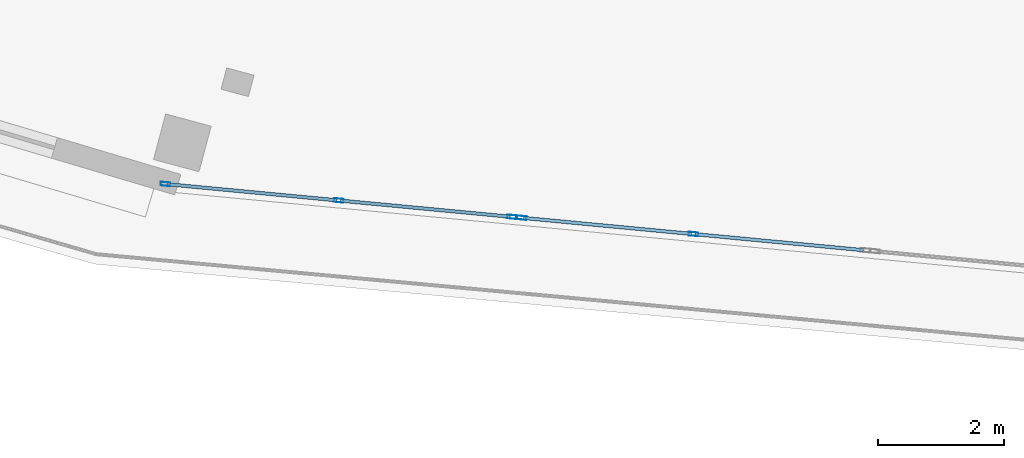
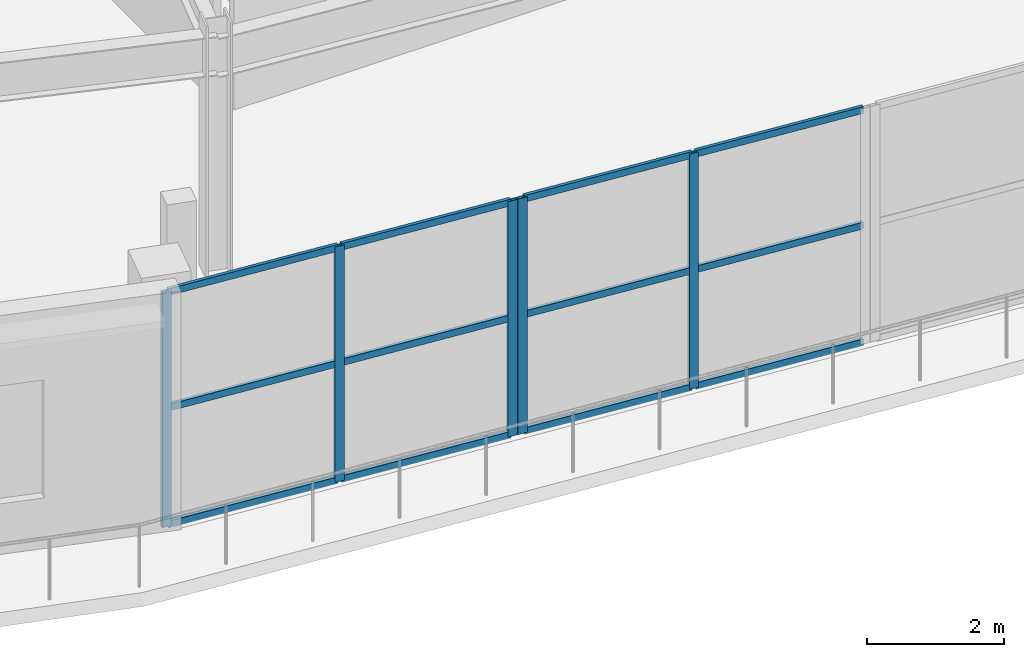
# One storey, part 20 of 107: 17 members, 2 elements without a shape of their own.
"""IFC4 building model written with IfcOpenShell, lengths in metres."""

import ifcopenshell
import ifcopenshell.guid

model = None  # the IFC model being written
_history = None  # IfcOwnerHistory: only IFC2X3 demands one
_inside = {}  # id of a spatial element -> (the spatial element, [elements in it])
_under = {}  # id of a project, library or spatial element -> (it, [spatial elements below it])
_declared = {}  # id of a project -> (the project, [libraries it declares])
_typed = {}  # id of a type object -> (the type object, [elements of that type])
_made_of = {}  # id of a material, layer set ... -> (it, [elements and type objects made of it])


def new_model(schema):
    """Start an empty IFC model of exactly this schema.

    Asked for "IFC4X3", IfcOpenShell would pick the latest addendum, in which some entities
    have other attributes; the version numbers below select the first issue.
    IFC2X3 requires an IfcOwnerHistory on every rooted entity: one is made here for all.
    """
    global model, _history
    if schema == "IFC4X3":
        model = ifcopenshell.file(schema_version=(4, 3, 0, 0))
    else:
        model = ifcopenshell.file(schema=schema)
    _inside.clear()
    _under.clear()
    _declared.clear()
    _typed.clear()
    _made_of.clear()
    _history = None
    if model.schema == "IFC2X3":
        org = make("IfcOrganization", Name="unknown")
        user = make(
            "IfcPersonAndOrganization",
            ThePerson=make("IfcPerson", FamilyName="unknown"),
            TheOrganization=org,
        )
        app = make(
            "IfcApplication",
            ApplicationDeveloper=org,
            Version="unknown",
            ApplicationFullName="unknown",
            ApplicationIdentifier="unknown",
        )
        _history = make(
            "IfcOwnerHistory",
            OwningUser=user,
            OwningApplication=app,
            ChangeAction="ADDED",
            CreationDate=0,
        )
    return model


def make(cls, **values):
    """One entity of the class cls with the attributes given. An attribute that is None is left unset."""
    return model.create_entity(
        cls, **{name: value for name, value in values.items() if value is not None}
    )


def rooted(cls, **values):
    """An entity with a GlobalId (a new one), such as an element, a storey or a relation."""
    return make(cls, GlobalId=ifcopenshell.guid.new(), OwnerHistory=_history, **values)


def si_unit(unit_type, name, prefix=None):
    """IfcSIUnit, for example si_unit("LENGTHUNIT", "METRE", prefix="MILLI")."""
    return make("IfcSIUnit", UnitType=unit_type, Prefix=prefix, Name=name)


def assignment(units):
    """IfcUnitAssignment: the units of a project."""
    return None if units is None else make("IfcUnitAssignment", Units=units)


def point(xyz):
    """IfcCartesianPoint."""
    return None if xyz is None else make("IfcCartesianPoint", Coordinates=xyz)


def direction(xyz):
    """IfcDirection."""
    return None if xyz is None else make("IfcDirection", DirectionRatios=xyz)


def frame(location, z_axis=None, x_axis=None):
    """IfcAxis2Placement3D, a coordinate frame: its origin and axes. An axis left out is left unset."""
    return make(
        "IfcAxis2Placement3D",
        Location=point(location),
        Axis=direction(z_axis),
        RefDirection=direction(x_axis),
    )


def frame_2d(location, x_axis=None):
    """IfcAxis2Placement2D, a coordinate frame in the plane: its origin and x axis."""
    return make(
        "IfcAxis2Placement2D", Location=point(location), RefDirection=direction(x_axis)
    )


def origin():
    """The frame at (0, 0, 0) with its axes left unset."""
    return frame((0.0, 0.0, 0.0))


def origin_2d():
    """The frame at (0, 0) in the plane with its x axis left unset."""
    return frame_2d((0.0, 0.0))


def place(relative_to, where):
    """IfcLocalPlacement: puts the frame where relative to a parent placement (None: the world)."""
    return make(
        "IfcLocalPlacement", PlacementRelTo=relative_to, RelativePlacement=where
    )


def context(
    kind, dimensions, precision=None, world=None, true_north=None, identifier=None
):
    """IfcGeometricRepresentationContext, for example the 3D "Model" context."""
    return make(
        "IfcGeometricRepresentationContext",
        ContextIdentifier=identifier,
        ContextType=kind,
        CoordinateSpaceDimension=dimensions,
        Precision=precision,
        WorldCoordinateSystem=world,
        TrueNorth=true_north,
    )


def subcontext(parent, identifier, kind, view, scale=None):
    """IfcGeometricRepresentationSubContext, for example "Body" below "Model"."""
    return make(
        "IfcGeometricRepresentationSubContext",
        ContextIdentifier=identifier,
        ContextType=kind,
        ParentContext=parent,
        TargetScale=scale,
        TargetView=view,
    )


def project(units=None, contexts=None):
    """IfcProject with its units and contexts."""
    return rooted(
        "IfcProject",
        Name="project",
        RepresentationContexts=contexts,
        UnitsInContext=assignment(units),
    )


def spatial(cls, under=None, at=None, **own):
    """A site, building, storey or space (cls), placed at a placement, below another one or the project."""
    s = rooted(cls, ObjectPlacement=at, **own)
    if under is not None:
        _under.setdefault(under.id(), (under, []))[1].append(s)
    return s


def profile(cls, at=None, kind="AREA", **sizes):
    """A parametric profile (cls). Its sizes go by their IFC names, for example OverallWidth=200.0."""
    return make(cls, ProfileType=kind, Position=at, **sizes)


def hollow_rectangle(**sizes):
    """IfcRectangleHollowProfileDef."""
    return profile("IfcRectangleHollowProfileDef", **sizes)


def extrude(swept, where, along, depth):
    """IfcExtrudedAreaSolid: the profile swept, set in the frame where, extruded along a direction by depth."""
    return make(
        "IfcExtrudedAreaSolid",
        SweptArea=swept,
        Position=where,
        ExtrudedDirection=direction(along),
        Depth=depth,
    )


def shape(context_of_items, identifier, shape_type, items):
    """IfcShapeRepresentation: the items that make up one representation, for example the "Body"."""
    return make(
        "IfcShapeRepresentation",
        ContextOfItems=context_of_items,
        RepresentationIdentifier=identifier,
        RepresentationType=shape_type,
        Items=items,
    )


def material(Name=None, Category=None):
    """IfcMaterial."""
    return make("IfcMaterial", Name=Name, Category=Category)


def layer(
    of_material, thickness, ventilated=None, Name=None, Category=None, Priority=None
):
    """IfcMaterialLayer: one layer of a wall or slab, of a material (None: an air gap)."""
    return make(
        "IfcMaterialLayer",
        Material=of_material,
        LayerThickness=thickness,
        IsVentilated=ventilated,
        Name=Name,
        Category=Category,
        Priority=Priority,
    )


def layer_set(layers, Name=None):
    """IfcMaterialLayerSet."""
    return make("IfcMaterialLayerSet", MaterialLayers=layers, LayerSetName=Name)


def material_profile(
    of_material, cross_section, Name=None, Category=None, Priority=None
):
    """IfcMaterialProfile: a cross section and its material."""
    return make(
        "IfcMaterialProfile",
        Name=Name,
        Material=of_material,
        Profile=cross_section,
        Priority=Priority,
        Category=Category,
    )


def profile_set(profiles, Name=None, composite=None):
    """IfcMaterialProfileSet."""
    return make(
        "IfcMaterialProfileSet",
        Name=Name,
        MaterialProfiles=profiles,
        CompositeProfile=composite,
    )


def made_of(thing, what):
    """Note that an element or type object is made of a material, layer set ...; save() writes the relation."""
    if what is not None:
        _made_of.setdefault(what.id(), (what, []))[1].append(thing)
    return thing


def type_object(cls, material=None, **own):
    """A type object (cls), such as IfcWallType, which elements share."""
    return made_of(rooted(cls, **own), material)


def element(
    cls,
    number,
    at=None,
    inside=None,
    cuts=None,
    type_object=None,
    material=None,
    context=None,
    identifier="Body",
    shape_type=None,
    held_by="IfcProductDefinitionShape",
    body=None,
    shapes=None,
    **own,
):
    """One element of the class cls, such as IfcWall. Its Tag is "e" and its number.

    at: its placement. inside: the storey or other place that contains it. cuts: it is an
    opening in that element (IfcRelVoidsElement). A single representation is given by context,
    identifier, shape_type and body (its items); several are given by shapes. held_by: the class
    of the entity that holds the representations. save() writes the other relations.
    """
    e = rooted(cls, Tag="e%d" % number, ObjectPlacement=at, **own)
    if body is not None:
        shapes = [shape(context, identifier, shape_type, body)]
    if shapes is not None:
        e.Representation = make(held_by, Representations=shapes)
    if inside is not None:
        _inside.setdefault(inside.id(), (inside, []))[1].append(e)
    if cuts is not None:
        rooted(
            "IfcRelVoidsElement", RelatingBuildingElement=cuts, RelatedOpeningElement=e
        )
    if type_object is not None:
        _typed.setdefault(type_object.id(), (type_object, []))[1].append(e)
    return made_of(e, material)


def aggregate(whole, parts):
    """IfcRelAggregates: a whole, such as a stair, and the parts it consists of."""
    return rooted("IfcRelAggregates", RelatingObject=whole, RelatedObjects=parts)


def save(model, path):
    """Write the relations noted so far, then the file.

    IfcRelAggregates (storeys below a building ...), IfcRelContainedInSpatialStructure (elements
    in a storey), IfcRelDefinesByType, IfcRelAssociatesMaterial and IfcRelDeclares: one each for
    every whole, place, type object, material and project.
    """
    for whole, parts in _under.values():
        aggregate(whole, parts)
    for where, things in _inside.values():
        rooted(
            "IfcRelContainedInSpatialStructure",
            RelatedElements=things,
            RelatingStructure=where,
        )
    for kind, things in _typed.values():
        rooted("IfcRelDefinesByType", RelatedObjects=things, RelatingType=kind)
    for what, things in _made_of.values():
        rooted("IfcRelAssociatesMaterial", RelatedObjects=things, RelatingMaterial=what)
    for by, libraries in _declared.values():
        rooted("IfcRelDeclares", RelatingContext=by, RelatedDefinitions=libraries)
    model.write(path)


model = new_model("IFC4")

# Units and contexts
model_context = context("Model", 3, precision=1e-05, world=origin(), true_north=direction((0.0, 1.0)))
body_context = subcontext(model_context, "Body", "Model", "MODEL_VIEW")
ifc_project = project(units=[si_unit("LENGTHUNIT", "METRE"), si_unit("AREAUNIT", "SQUARE_METRE"), si_unit("VOLUMEUNIT", "CUBIC_METRE"), si_unit("PLANEANGLEUNIT", "RADIAN"), si_unit("MASSUNIT", "GRAM", prefix="KILO")], contexts=[model_context])

# Site, building, storey
site_placement = place(None, origin())
site = spatial("IfcSite", under=ifc_project, at=site_placement, CompositionType="ELEMENT")
building_placement = place(site_placement, origin())
building = spatial("IfcBuilding", under=site, at=building_placement, Name="Kalgoora Escarpment Arena", CompositionType="ELEMENT")
storey_placement = place(building_placement, frame((0.0, 0.0, 5.39990234375)))
storey = spatial("IfcBuildingStorey", under=building, at=storey_placement, Name="L01", CompositionType="ELEMENT", Elevation=5.39990234375)

# Curtain wall, members
ifc_material_1 = material(Name=" Champagne anodised aluminium & double-glazed low-E", Category="aluminium")
ifc_layer_1 = layer(ifc_material_1, 0.157958984375)
ifc_layer_set_1 = layer_set([ifc_layer_1], Name="CW-UNIT-12")
curtain_wall_type_1 = type_object("IfcCurtainWallType", Name="CW-UNIT-12", PredefinedType="NOTDEFINED", material=ifc_layer_set_1)
curtain_wall_1_placement = place(storey_placement, origin())
curtain_wall_1 = element("IfcCurtainWall", 1, at=curtain_wall_1_placement, inside=storey, type_object=curtain_wall_type_1, Name="L01 unitised facade curtain wall 011", PredefinedType="NOTDEFINED")
ifc_material_2 = material(Name="Anodised aluminium 6063-T6", Category="aluminium")
ifc_material_profile_1 = material_profile(ifc_material_2, hollow_rectangle(XDim=0.06005859375, YDim=0.14990234375, WallThickness=0.00341796875, at=origin_2d()))
ifc_profile_set_1 = profile_set([ifc_material_profile_1], Name="Anodised aluminium 6063-T6")
member_type_1 = type_object("IfcMemberType", Name="MEM-CW-MULL-150", PredefinedType="MULLION", material=ifc_profile_set_1)
member_1_placement = place(storey_placement, frame((78.337890625, 2.8525390625, 0.02001953125), z_axis=(0.0, 0.0, 1.0), x_axis=(-0.094301024516, -0.995543729213, 0.0)))
member_1 = element("IfcMember", 2, at=member_1_placement, type_object=member_type_1, Name="CW-12 mullion 2", PredefinedType="MULLION", context=body_context, shape_type="SweptSolid", body=[
    extrude(hollow_rectangle(XDim=0.06005859375, YDim=0.14990234375, WallThickness=0.00341796875, at=origin_2d()), origin(), (0.0, 0.0, 1.0), 4.190185546875),
])
member_2_placement = place(storey_placement, frame((75.60302734375, 3.111572265625, 0.02001953125), z_axis=(0.0, 0.0, 1.0), x_axis=(-0.094301024516, -0.995543729213, 0.0)))
member_2 = element("IfcMember", 3, at=member_2_placement, type_object=member_type_1, Name="CW-12 mullion 3", PredefinedType="MULLION", context=body_context, shape_type="SweptSolid", body=[
    extrude(hollow_rectangle(XDim=0.06005859375, YDim=0.14990234375, WallThickness=0.00341796875, at=origin_2d()), origin(), (0.0, 0.0, 1.0), 4.190185546875),
])

ifc_material_3 = material(Name=" Champagne anodised aluminium & double-glazed low-E", Category="aluminium")
ifc_layer_2 = layer(ifc_material_3, 0.162109375)
ifc_layer_set_2 = layer_set([ifc_layer_2], Name="CW-UNIT-13")
curtain_wall_type_2 = type_object("IfcCurtainWallType", Name="CW-UNIT-13", PredefinedType="NOTDEFINED", material=ifc_layer_set_2)
curtain_wall_2_placement = place(storey_placement, origin())
curtain_wall_2 = element("IfcCurtainWall", 4, at=curtain_wall_2_placement, inside=storey, type_object=curtain_wall_type_2, Name="L01 unitised facade curtain wall 012", PredefinedType="NOTDEFINED")
member_3_placement = place(storey_placement, frame((75.44384765625, 3.126708984375, 0.02001953125), z_axis=(0.0, 0.0, 1.0), x_axis=(-0.094315664594, -0.99554234235, 0.0)))
member_3 = element("IfcMember", 5, at=member_3_placement, type_object=member_type_1, Name="CW-13 mullion 1", PredefinedType="MULLION", context=body_context, shape_type="SweptSolid", body=[
    extrude(hollow_rectangle(XDim=0.06005859375, YDim=0.14990234375, WallThickness=0.00341796875, at=origin_2d()), origin(), (0.0, 0.0, 1.0), 4.190185546875),
])
member_4_placement = place(storey_placement, frame((72.683837890625, 3.38818359375, 0.02001953125), z_axis=(0.0, 0.0, 1.0), x_axis=(-0.094315664594, -0.99554234235, 0.0)))
member_4 = element("IfcMember", 6, at=member_4_placement, type_object=member_type_1, Name="CW-13 mullion 2", PredefinedType="MULLION", context=body_context, shape_type="SweptSolid", body=[
    extrude(hollow_rectangle(XDim=0.06005859375, YDim=0.14990234375, WallThickness=0.00341796875, at=origin_2d()), origin(), (0.0, 0.0, 1.0), 4.190185546875),
])
member_5_placement = place(storey_placement, frame((69.923828125, 3.649658203125, 0.02001953125), z_axis=(0.0, 0.0, 1.0), x_axis=(-0.094315664594, -0.99554234235, 0.0)))
member_5 = element("IfcMember", 7, at=member_5_placement, type_object=member_type_1, Name="CW-13 mullion 3", PredefinedType="MULLION", context=body_context, shape_type="SweptSolid", body=[
    extrude(hollow_rectangle(XDim=0.06005859375, YDim=0.14990234375, WallThickness=0.00341796875, at=origin_2d()), origin(), (0.0, 0.0, 1.0), 4.190185546875),
])

# Member
ifc_material_4 = material(Name="Anodised aluminium 6063-T6", Category="aluminium")
ifc_material_profile_2 = material_profile(ifc_material_4, hollow_rectangle(XDim=0.054931640625, YDim=0.1201171875, WallThickness=0.003173828125, at=origin_2d()))
ifc_profile_set_2 = profile_set([ifc_material_profile_2], Name="Anodised aluminium 6063-T6")
member_type_2 = type_object("IfcMemberType", Name="MEM-CW-TRAN-120", PredefinedType="USERDEFINED", material=ifc_profile_set_2)
member_6_placement = place(storey_placement, frame((81.043212890625, 2.596435546875, 0.047607421875), z_axis=(-0.995543525614, 0.094303173899, 0.0), x_axis=(-0.094303173899, -0.995543525614, 0.0)))
member_6 = element("IfcMember", 8, at=member_6_placement, type_object=member_type_2, Name="CW-12 transom 1.1", ObjectType="TRANSOM", PredefinedType="USERDEFINED", context=body_context, shape_type="SweptSolid", body=[
    extrude(hollow_rectangle(XDim=0.054931640625, YDim=0.1201171875, WallThickness=0.003173828125, at=origin_2d()), origin(), (0.0, 0.0, 1.0), 2.687255859375),
])

member_7_placement = place(storey_placement, frame((81.043212890625, 2.596435546875, 2.125), z_axis=(-0.995543525614, 0.094303173899, 0.0), x_axis=(-0.094303173899, -0.995543525614, 0.0)))
member_7 = element("IfcMember", 9, at=member_7_placement, type_object=member_type_2, Name="CW-12 transom 1.2", ObjectType="TRANSOM", PredefinedType="USERDEFINED", context=body_context, shape_type="SweptSolid", body=[
    extrude(hollow_rectangle(XDim=0.054931640625, YDim=0.1201171875, WallThickness=0.003173828125, at=origin_2d()), origin(), (0.0, 0.0, 1.0), 2.687255859375),
])

member_8_placement = place(storey_placement, frame((81.043212890625, 2.596435546875, 4.1826171875), z_axis=(-0.995543525614, 0.094303173899, 0.0), x_axis=(-0.094303173899, -0.995543525614, 0.0)))
member_8 = element("IfcMember", 10, at=member_8_placement, type_object=member_type_2, Name="CW-12 transom 1.3", ObjectType="TRANSOM", PredefinedType="USERDEFINED", context=body_context, shape_type="SweptSolid", body=[
    extrude(hollow_rectangle(XDim=0.054931640625, YDim=0.1201171875, WallThickness=0.003173828125, at=origin_2d()), origin(), (0.0, 0.0, 1.0), 2.687255859375),
])

member_9_placement = place(storey_placement, frame((78.30810546875, 2.85546875, 0.047607421875), z_axis=(-0.995543525614, 0.094303173899, 0.0), x_axis=(-0.094303173899, -0.995543525614, 0.0)))
member_9 = element("IfcMember", 11, at=member_9_placement, type_object=member_type_2, Name="CW-12 transom 2.1", ObjectType="TRANSOM", PredefinedType="USERDEFINED", context=body_context, shape_type="SweptSolid", body=[
    extrude(hollow_rectangle(XDim=0.054931640625, YDim=0.1201171875, WallThickness=0.003173828125, at=origin_2d()), origin(), (0.0, 0.0, 1.0), 2.687255859375),
])

member_10_placement = place(storey_placement, frame((78.30810546875, 2.85546875, 2.125), z_axis=(-0.995543525614, 0.094303173899, 0.0), x_axis=(-0.094303173899, -0.995543525614, 0.0)))
member_10 = element("IfcMember", 12, at=member_10_placement, type_object=member_type_2, Name="CW-12 transom 2.2", ObjectType="TRANSOM", PredefinedType="USERDEFINED", context=body_context, shape_type="SweptSolid", body=[
    extrude(hollow_rectangle(XDim=0.054931640625, YDim=0.1201171875, WallThickness=0.003173828125, at=origin_2d()), origin(), (0.0, 0.0, 1.0), 2.687255859375),
])

member_11_placement = place(storey_placement, frame((78.30810546875, 2.85546875, 4.1826171875), z_axis=(-0.995543525614, 0.094303173899, 0.0), x_axis=(-0.094303173899, -0.995543525614, 0.0)))
member_11 = element("IfcMember", 13, at=member_11_placement, type_object=member_type_2, Name="CW-12 transom 2.3", ObjectType="TRANSOM", PredefinedType="USERDEFINED", context=body_context, shape_type="SweptSolid", body=[
    extrude(hollow_rectangle(XDim=0.054931640625, YDim=0.1201171875, WallThickness=0.003173828125, at=origin_2d()), origin(), (0.0, 0.0, 1.0), 2.687255859375),
])

aggregate(curtain_wall_1, [member_1, member_2, member_6, member_7, member_8, member_9, member_10, member_11])

member_12_placement = place(storey_placement, frame((75.413818359375, 3.129638671875, 0.047607421875), z_axis=(-0.995549118093, 0.094244116333, 0.0), x_axis=(-0.094244116333, -0.995549118093, 0.0)))
member_12 = element("IfcMember", 14, at=member_12_placement, type_object=member_type_2, Name="CW-13 transom 1.1", ObjectType="TRANSOM", PredefinedType="USERDEFINED", context=body_context, shape_type="SweptSolid", body=[
    extrude(hollow_rectangle(XDim=0.054931640625, YDim=0.1201171875, WallThickness=0.003173828125, at=origin_2d()), origin(), (0.0, 0.0, 1.0), 2.712158203125),
])

member_13_placement = place(storey_placement, frame((75.413818359375, 3.129638671875, 2.125), z_axis=(-0.995549118093, 0.094244116333, 0.0), x_axis=(-0.094244116333, -0.995549118093, 0.0)))
member_13 = element("IfcMember", 15, at=member_13_placement, type_object=member_type_2, Name="CW-13 transom 1.2", ObjectType="TRANSOM", PredefinedType="USERDEFINED", context=body_context, shape_type="SweptSolid", body=[
    extrude(hollow_rectangle(XDim=0.054931640625, YDim=0.1201171875, WallThickness=0.003173828125, at=origin_2d()), origin(), (0.0, 0.0, 1.0), 2.712158203125),
])

member_14_placement = place(storey_placement, frame((75.413818359375, 3.129638671875, 4.1826171875), z_axis=(-0.995549118093, 0.094244116333, 0.0), x_axis=(-0.094244116333, -0.995549118093, 0.0)))
member_14 = element("IfcMember", 16, at=member_14_placement, type_object=member_type_2, Name="CW-13 transom 1.3", ObjectType="TRANSOM", PredefinedType="USERDEFINED", context=body_context, shape_type="SweptSolid", body=[
    extrude(hollow_rectangle(XDim=0.054931640625, YDim=0.1201171875, WallThickness=0.003173828125, at=origin_2d()), origin(), (0.0, 0.0, 1.0), 2.712158203125),
])

member_15_placement = place(storey_placement, frame((72.654052734375, 3.39111328125, 0.047607421875), z_axis=(-0.995549917482, 0.094235671603, 0.0), x_axis=(-0.094235671603, -0.995549917482, 0.0)))
member_15 = element("IfcMember", 17, at=member_15_placement, type_object=member_type_2, Name="CW-13 transom 2.1", ObjectType="TRANSOM", PredefinedType="USERDEFINED", context=body_context, shape_type="SweptSolid", body=[
    extrude(hollow_rectangle(XDim=0.054931640625, YDim=0.1201171875, WallThickness=0.003173828125, at=origin_2d()), origin(), (0.0, 0.0, 1.0), 2.71240234375),
])

member_16_placement = place(storey_placement, frame((72.654052734375, 3.39111328125, 2.125), z_axis=(-0.995549917482, 0.094235671603, 0.0), x_axis=(-0.094235671603, -0.995549917482, 0.0)))
member_16 = element("IfcMember", 18, at=member_16_placement, type_object=member_type_2, Name="CW-13 transom 2.2", ObjectType="TRANSOM", PredefinedType="USERDEFINED", context=body_context, shape_type="SweptSolid", body=[
    extrude(hollow_rectangle(XDim=0.054931640625, YDim=0.1201171875, WallThickness=0.003173828125, at=origin_2d()), origin(), (0.0, 0.0, 1.0), 2.71240234375),
])

member_17_placement = place(storey_placement, frame((72.654052734375, 3.39111328125, 4.1826171875), z_axis=(-0.995549917482, 0.094235671603, 0.0), x_axis=(-0.094235671603, -0.995549917482, 0.0)))
member_17 = element("IfcMember", 19, at=member_17_placement, type_object=member_type_2, Name="CW-13 transom 2.3", ObjectType="TRANSOM", PredefinedType="USERDEFINED", context=body_context, shape_type="SweptSolid", body=[
    extrude(hollow_rectangle(XDim=0.054931640625, YDim=0.1201171875, WallThickness=0.003173828125, at=origin_2d()), origin(), (0.0, 0.0, 1.0), 2.71240234375),
])

aggregate(curtain_wall_2, [member_3, member_4, member_5, member_12, member_13, member_14, member_15, member_16, member_17])

save(model, "model.ifc")
